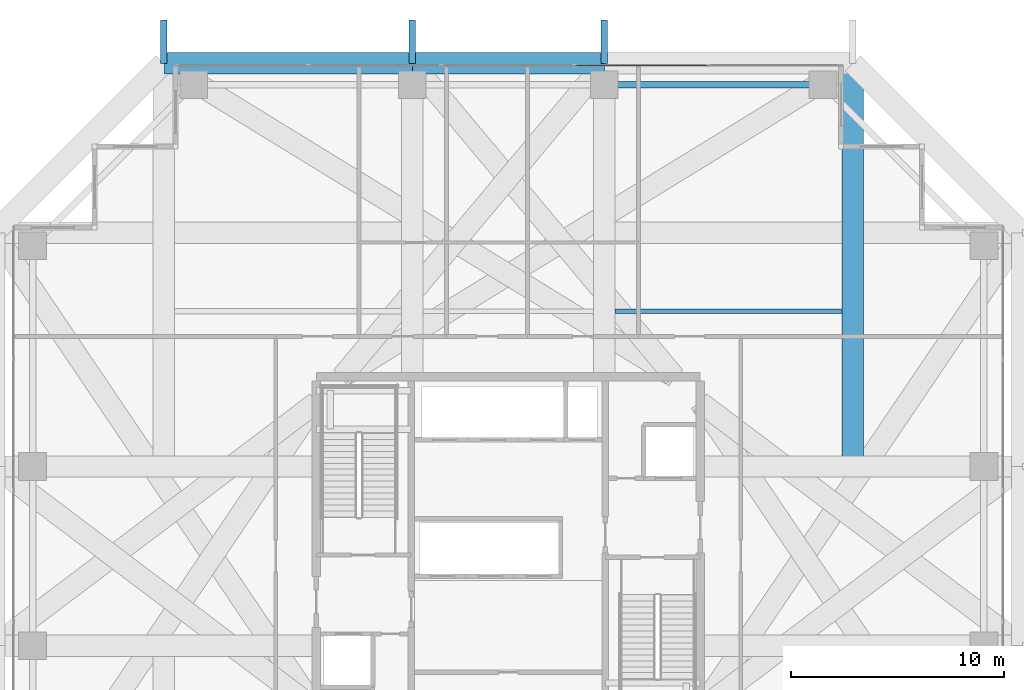
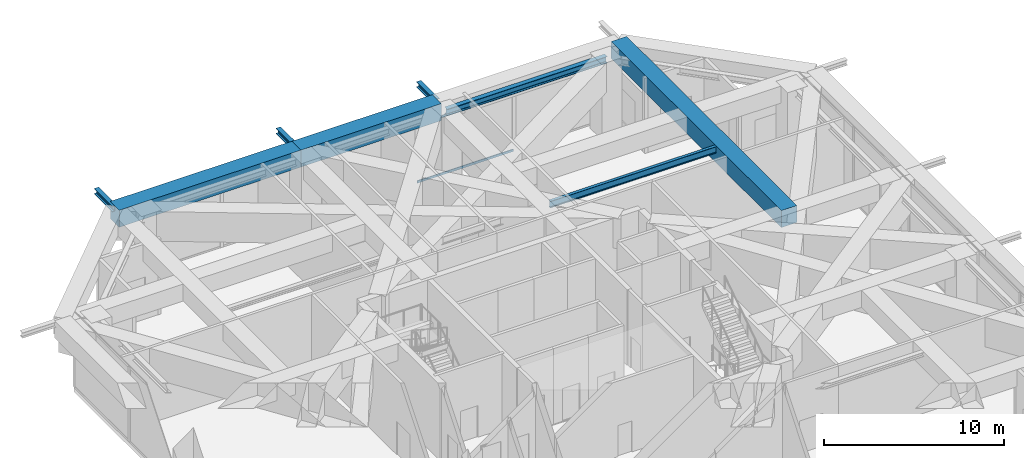
# One storey, part 25 of 38: 8 beams, 2 members, 1 element without a shape of its own.
"""IFC4 building model written with IfcOpenShell, lengths in metres."""

from ifc_helpers import new_model, si_unit, direction, frame, origin, origin_2d, place, context, subcontext, project, spatial, rectangle, hollow_rectangle, i_section, extrude, source, transform, mapped, material, layer, layer_set, material_profile, profile_set, type_object, element, aggregate, save


model = new_model("IFC4")

# Units and contexts
model_context = context("Model", 3, precision=1e-05, world=origin(), true_north=direction((0.0, 1.0)))
body_context = subcontext(model_context, "Body", "Model", "MODEL_VIEW")
ifc_project = project(units=[si_unit("LENGTHUNIT", "METRE"), si_unit("AREAUNIT", "SQUARE_METRE"), si_unit("VOLUMEUNIT", "CUBIC_METRE"), si_unit("PLANEANGLEUNIT", "RADIAN"), si_unit("MASSUNIT", "GRAM", prefix="KILO")], contexts=[model_context])

# Site, building, storey
site_placement = place(None, origin())
site = spatial("IfcSite", under=ifc_project, at=site_placement, CompositionType="ELEMENT")
building_placement = place(site_placement, origin())
building = spatial("IfcBuilding", under=site, at=building_placement, Name="Serunith Strait Residences", CompositionType="ELEMENT")
storey_placement = place(building_placement, frame((0.0, 0.0, 204.89990234375)))
storey = spatial("IfcBuildingStorey", under=building, at=storey_placement, Name="L51", CompositionType="ELEMENT", Elevation=204.89990234375)

# Beams
ifc_material_1 = material(Name="Concrete C80/95", Category="concrete")
ifc_material_profile_1 = material_profile(ifc_material_1, rectangle(XDim=1.0, YDim=1.14990234375, at=origin_2d()), Name="RC 1000x1150")
ifc_profile_set_1 = profile_set([ifc_material_profile_1], Name="Concrete C80/95")
beam_type_1 = type_object("IfcBeamType", Name="BM-XFER-1000x1150", PredefinedType="BEAM", material=ifc_profile_set_1)
shared_shape_1 = source(origin(), body_context, "Body", "SweptSolid", [
    extrude(rectangle(XDim=1.0, YDim=1.14990234375, at=origin_2d()), origin(), (0.0, 0.0, 1.0), 9.0),
])
beam_1_placement = place(storey_placement, frame((36.89990234375, 48.300048828125, 4.53515625), z_axis=(-1.0, 0.0, 0.0), x_axis=(0.0, -1.0, 0.0)))
element("IfcBeam", 1, at=beam_1_placement, inside=storey, type_object=beam_type_1, Name="L51 Flare Upper Ring Transfer Girder 10", PredefinedType="BEAM", context=body_context, shape_type="MappedRepresentation", body=[
    mapped(shared_shape_1, transform((0.0, 0.0, 0.0), scale=1.0)),
])
ifc_material_2 = material(Name="Steel S355J2", Category="steel")
ifc_material_profile_2 = material_profile(ifc_material_2, i_section(OverallWidth=0.300048828125, OverallDepth=0.360107421875, WebThickness=0.012451171875, FlangeThickness=0.0224609375, FilletRadius=0.027099609375, at=origin_2d()), Name="HEB 360")
ifc_profile_set_2 = profile_set([ifc_material_profile_2], Name="Steel S355J2")
beam_type_2 = type_object("IfcBeamType", Name="BM-HEB360", PredefinedType="BEAM", material=ifc_profile_set_2)
shared_shape_2 = source(origin(), body_context, "Body", "SweptSolid", [
    extrude(i_section(OverallWidth=0.300048828125, OverallDepth=0.360107421875, WebThickness=0.012451171875, FlangeThickness=0.0224609375, FilletRadius=0.027099609375, at=origin_2d()), origin(), (0.0, 0.0, 1.0), 2.030029296875),
])
for number, where, z_axis, x_axis, name in (
    (2, (16.25, 48.300048828125, 4.927001953125), (0.0, 1.0, 0.0), (-1.0, 0.0, 0.0), "L52 Cantilevered Balcony Rib TC-N1"),
    (3, (27.89990234375, 48.300048828125, 4.927001953125), (0.0, 1.0, 0.0), (-1.0, 0.0, 0.0), "L52 Cantilevered Balcony Rib TC-N2"),
    (4, (36.89990234375, 48.300048828125, 4.927001953125), (0.0, 1.0, 0.0), (-1.0, 0.0, 0.0), "L52 Cantilevered Balcony Rib TC-N3"),
):
    element("IfcBeam", number, at=place(storey_placement, frame(where, z_axis=z_axis, x_axis=x_axis)), inside=storey, type_object=beam_type_2, Name=name, PredefinedType="BEAM", context=body_context, shape_type="MappedRepresentation", body=[
        mapped(shared_shape_2, transform((0.0, 0.0, 0.0), scale=1.0)),
    ])
ifc_material_profile_3 = material_profile(ifc_material_2, i_section(OverallWidth=0.300048828125, OverallDepth=0.449951171875, WebThickness=0.013916015625, FlangeThickness=0.02587890625, FilletRadius=0.027099609375, at=origin_2d()), Name="HEB 450")
ifc_profile_set_3 = profile_set([ifc_material_profile_3], Name="Steel S355J2")
beam_type_3 = type_object("IfcBeamType", Name="BM-HEB450", PredefinedType="BEAM", material=ifc_profile_set_3)
shared_shape_3 = source(origin(), body_context, "Body", "SweptSolid", [
    extrude(i_section(OverallWidth=0.300048828125, OverallDepth=0.449951171875, WebThickness=0.013916015625, FlangeThickness=0.02587890625, FilletRadius=0.027099609375, at=origin_2d()), origin(), (0.0, 0.0, 1.0), 10.25),
])
beam_2_placement = place(storey_placement, frame((47.14990234375, 47.300048828125, 4.882080078125), z_axis=(-1.0, 0.0, 0.0), x_axis=(0.0, -1.0, 0.0)))
element("IfcBeam", 5, at=beam_2_placement, inside=storey, type_object=beam_type_3, Name="L51 Perimeter Ring Beam 09", PredefinedType="BEAM", context=body_context, shape_type="MappedRepresentation", body=[
    mapped(shared_shape_3, transform((0.0, 0.0, 0.0), scale=1.0)),
])
shared_shape_4 = source(origin(), body_context, "Body", "SweptSolid", [
    extrude(rectangle(XDim=1.0, YDim=1.14990234375, at=origin_2d()), origin(), (0.0, 0.0, 1.0), 18.900146484375),
])
beam_3_placement = place(storey_placement, frame((48.550048828125, 29.39990234375, 4.53515625), z_axis=(0.0, 1.0, 0.0), x_axis=(-1.0, 0.0, 0.0)))
element("IfcBeam", 6, at=beam_3_placement, inside=storey, type_object=beam_type_1, Name="L51 Orthogonal Corner Girder TC-N4", PredefinedType="BEAM", context=body_context, shape_type="MappedRepresentation", body=[
    mapped(shared_shape_4, transform((0.0, 0.0, 0.0), scale=1.0)),
])
shared_shape_5 = source(origin(), body_context, "Body", "SweptSolid", [
    extrude(rectangle(XDim=1.0, YDim=1.14990234375, at=origin_2d()), origin(), (0.0, 0.0, 1.0), 11.64990234375),
])
beam_4_placement = place(storey_placement, frame((27.89990234375, 48.300048828125, 4.53515625), z_axis=(-1.0, 0.0, 0.0), x_axis=(0.0, -1.0, 0.0)))
element("IfcBeam", 7, at=beam_4_placement, inside=storey, type_object=beam_type_1, Name="L51 Flare Upper Ring Transfer Girder 11", PredefinedType="BEAM", context=body_context, shape_type="MappedRepresentation", body=[
    mapped(shared_shape_5, transform((0.0, 0.0, 0.0), scale=1.0)),
])
ifc_material_profile_4 = material_profile(ifc_material_2, i_section(OverallWidth=0.18994140625, OverallDepth=0.449951171875, WebThickness=0.009521484375, FlangeThickness=0.0146484375, FilletRadius=0.02099609375, at=origin_2d()), Name="IPE 450")
ifc_profile_set_4 = profile_set([ifc_material_profile_4], Name="Steel S355J2")
beam_type_4 = type_object("IfcBeamType", Name="BM-IPE450", PredefinedType="JOIST", material=ifc_profile_set_4)
shared_shape_6 = source(origin(), body_context, "Body", "SweptSolid", [
    extrude(i_section(OverallWidth=0.18994140625, OverallDepth=0.449951171875, WebThickness=0.009521484375, FlangeThickness=0.0146484375, FilletRadius=0.02099609375, at=origin_2d()), origin(), (0.0, 0.0, 1.0), 10.650146484375),
])
beam_5_placement = place(storey_placement, frame((37.39990234375, 36.675048828125, 4.882080078125), z_axis=(1.0, 0.0, 0.0), x_axis=(0.0, 1.0, 0.0)))
element("IfcBeam", 8, at=beam_5_placement, inside=storey, type_object=beam_type_4, Name="L51 Composite Floor Joist 06", PredefinedType="JOIST", context=body_context, shape_type="MappedRepresentation", body=[
    mapped(shared_shape_6, transform((0.0, 0.0, 0.0), scale=1.0)),
])

# Curtain wall, members
ifc_material_3 = material(Name="Pale-Silver PVDF Aluminium", Category="aluminium")
ifc_layer = layer(ifc_material_3, 0.199951171875, Name="Pale-Silver PVDF Aluminium")
ifc_layer_set = layer_set([ifc_layer], Name="Pale-Silver PVDF Aluminium")
curtain_wall_type = type_object("IfcCurtainWallType", Name="CW-SYS3", PredefinedType="NOTDEFINED", material=ifc_layer_set)
curtain_wall_placement = place(storey_placement, origin())
curtain_wall = element("IfcCurtainWall", 9, at=curtain_wall_placement, inside=storey, type_object=curtain_wall_type, Name="L51 N Unitised Fritted Curtain Wall", PredefinedType="NOTDEFINED")
ifc_material_profile_5 = material_profile(ifc_material_3, hollow_rectangle(XDim=0.06005859375, YDim=0.159912109375, WallThickness=0.00341796875, InnerFilletRadius=0.00537109375, OuterFilletRadius=0.0087890625, at=origin_2d()), Name="ALU 160x60x3.5")
ifc_profile_set_5 = profile_set([ifc_material_profile_5], Name="Pale-Silver PVDF Aluminium")
member_type = type_object("IfcMemberType", Name="CW-SYS3-TRAN", PredefinedType="USERDEFINED", material=ifc_profile_set_5)
shared_shape_7 = source(origin(), body_context, "Body", "SweptSolid", [
    extrude(hollow_rectangle(XDim=0.06005859375, YDim=0.159912109375, WallThickness=0.00341796875, InnerFilletRadius=0.00537109375, OuterFilletRadius=0.0087890625, at=origin_2d()), origin(), (0.0, 0.0, 1.0), 6.164794921875),
])
member_1_placement = place(storey_placement, frame((41.722412109375, 48.199951171875, 0.030029296875), z_axis=(-1.0, 0.0, 0.0), x_axis=(0.0, -1.0, 0.0)))
member_1 = element("IfcMember", 10, at=member_1_placement, type_object=member_type, Name="CW-3 transom 2.1", ObjectType="TRANSOM", PredefinedType="USERDEFINED", context=body_context, shape_type="MappedRepresentation", body=[
    mapped(shared_shape_7, transform((0.0, 0.0, 0.0), scale=1.0)),
])
member_2_placement = place(storey_placement, frame((41.722412109375, 48.199951171875, 3.9150390625), z_axis=(-1.0, 0.0, 0.0), x_axis=(0.0, -1.0, 0.0)))
member_2 = element("IfcMember", 11, at=member_2_placement, type_object=member_type, Name="CW-3 transom 2.2", ObjectType="TRANSOM", PredefinedType="USERDEFINED", context=body_context, shape_type="MappedRepresentation", body=[
    mapped(shared_shape_7, transform((0.0, 0.0, 0.0), scale=1.0)),
])
aggregate(curtain_wall, [member_1, member_2])

save(model, "model.ifc")
